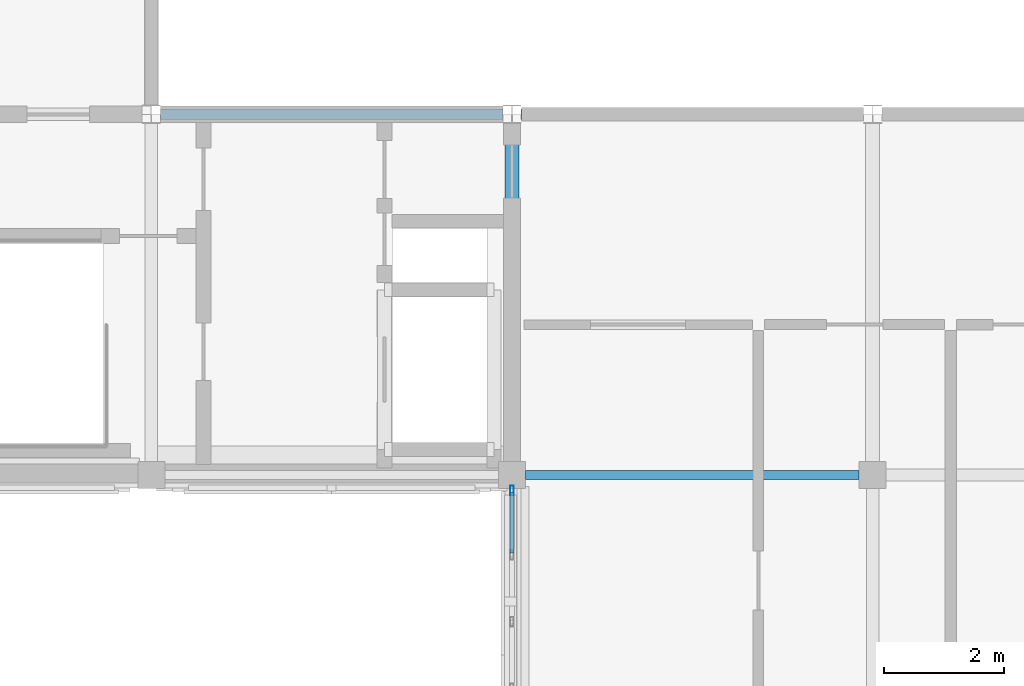
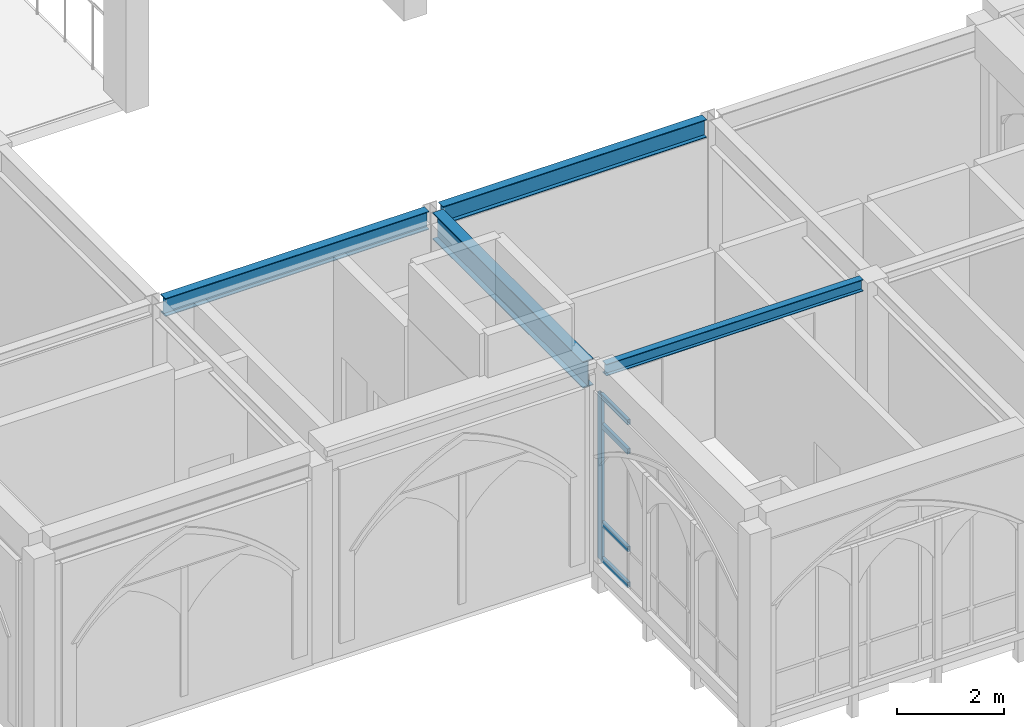
# One storey, part 16 of 59: 5 members, 4 beams, 1 element without a shape of its own.
"""IFC4 building model written with IfcOpenShell, lengths in metres."""

import ifcopenshell
import ifcopenshell.guid

model = None  # the IFC model being written
_history = None  # IfcOwnerHistory: only IFC2X3 demands one
_inside = {}  # id of a spatial element -> (the spatial element, [elements in it])
_under = {}  # id of a project, library or spatial element -> (it, [spatial elements below it])
_declared = {}  # id of a project -> (the project, [libraries it declares])
_typed = {}  # id of a type object -> (the type object, [elements of that type])
_made_of = {}  # id of a material, layer set ... -> (it, [elements and type objects made of it])


def new_model(schema):
    """Start an empty IFC model of exactly this schema.

    Asked for "IFC4X3", IfcOpenShell would pick the latest addendum, in which some entities
    have other attributes; the version numbers below select the first issue.
    IFC2X3 requires an IfcOwnerHistory on every rooted entity: one is made here for all.
    """
    global model, _history
    if schema == "IFC4X3":
        model = ifcopenshell.file(schema_version=(4, 3, 0, 0))
    else:
        model = ifcopenshell.file(schema=schema)
    _inside.clear()
    _under.clear()
    _declared.clear()
    _typed.clear()
    _made_of.clear()
    _history = None
    if model.schema == "IFC2X3":
        org = make("IfcOrganization", Name="unknown")
        user = make(
            "IfcPersonAndOrganization",
            ThePerson=make("IfcPerson", FamilyName="unknown"),
            TheOrganization=org,
        )
        app = make(
            "IfcApplication",
            ApplicationDeveloper=org,
            Version="unknown",
            ApplicationFullName="unknown",
            ApplicationIdentifier="unknown",
        )
        _history = make(
            "IfcOwnerHistory",
            OwningUser=user,
            OwningApplication=app,
            ChangeAction="ADDED",
            CreationDate=0,
        )
    return model


def make(cls, **values):
    """One entity of the class cls with the attributes given. An attribute that is None is left unset."""
    return model.create_entity(
        cls, **{name: value for name, value in values.items() if value is not None}
    )


def rooted(cls, **values):
    """An entity with a GlobalId (a new one), such as an element, a storey or a relation."""
    return make(cls, GlobalId=ifcopenshell.guid.new(), OwnerHistory=_history, **values)


def si_unit(unit_type, name, prefix=None):
    """IfcSIUnit, for example si_unit("LENGTHUNIT", "METRE", prefix="MILLI")."""
    return make("IfcSIUnit", UnitType=unit_type, Prefix=prefix, Name=name)


def assignment(units):
    """IfcUnitAssignment: the units of a project."""
    return None if units is None else make("IfcUnitAssignment", Units=units)


def point(xyz):
    """IfcCartesianPoint."""
    return None if xyz is None else make("IfcCartesianPoint", Coordinates=xyz)


def direction(xyz):
    """IfcDirection."""
    return None if xyz is None else make("IfcDirection", DirectionRatios=xyz)


def frame(location, z_axis=None, x_axis=None):
    """IfcAxis2Placement3D, a coordinate frame: its origin and axes. An axis left out is left unset."""
    return make(
        "IfcAxis2Placement3D",
        Location=point(location),
        Axis=direction(z_axis),
        RefDirection=direction(x_axis),
    )


def frame_2d(location, x_axis=None):
    """IfcAxis2Placement2D, a coordinate frame in the plane: its origin and x axis."""
    return make(
        "IfcAxis2Placement2D", Location=point(location), RefDirection=direction(x_axis)
    )


def origin():
    """The frame at (0, 0, 0) with its axes left unset."""
    return frame((0.0, 0.0, 0.0))


def origin_2d():
    """The frame at (0, 0) in the plane with its x axis left unset."""
    return frame_2d((0.0, 0.0))


def place(relative_to, where):
    """IfcLocalPlacement: puts the frame where relative to a parent placement (None: the world)."""
    return make(
        "IfcLocalPlacement", PlacementRelTo=relative_to, RelativePlacement=where
    )


def context(
    kind, dimensions, precision=None, world=None, true_north=None, identifier=None
):
    """IfcGeometricRepresentationContext, for example the 3D "Model" context."""
    return make(
        "IfcGeometricRepresentationContext",
        ContextIdentifier=identifier,
        ContextType=kind,
        CoordinateSpaceDimension=dimensions,
        Precision=precision,
        WorldCoordinateSystem=world,
        TrueNorth=true_north,
    )


def subcontext(parent, identifier, kind, view, scale=None):
    """IfcGeometricRepresentationSubContext, for example "Body" below "Model"."""
    return make(
        "IfcGeometricRepresentationSubContext",
        ContextIdentifier=identifier,
        ContextType=kind,
        ParentContext=parent,
        TargetScale=scale,
        TargetView=view,
    )


def project(units=None, contexts=None):
    """IfcProject with its units and contexts."""
    return rooted(
        "IfcProject",
        Name="project",
        RepresentationContexts=contexts,
        UnitsInContext=assignment(units),
    )


def spatial(cls, under=None, at=None, **own):
    """A site, building, storey or space (cls), placed at a placement, below another one or the project."""
    s = rooted(cls, ObjectPlacement=at, **own)
    if under is not None:
        _under.setdefault(under.id(), (under, []))[1].append(s)
    return s


def profile(cls, at=None, kind="AREA", **sizes):
    """A parametric profile (cls). Its sizes go by their IFC names, for example OverallWidth=200.0."""
    return make(cls, ProfileType=kind, Position=at, **sizes)


def hollow_rectangle(**sizes):
    """IfcRectangleHollowProfileDef."""
    return profile("IfcRectangleHollowProfileDef", **sizes)


def i_section(**sizes):
    """IfcIShapeProfileDef."""
    return profile("IfcIShapeProfileDef", **sizes)


def extrude(swept, where, along, depth):
    """IfcExtrudedAreaSolid: the profile swept, set in the frame where, extruded along a direction by depth."""
    return make(
        "IfcExtrudedAreaSolid",
        SweptArea=swept,
        Position=where,
        ExtrudedDirection=direction(along),
        Depth=depth,
    )


def shape(context_of_items, identifier, shape_type, items):
    """IfcShapeRepresentation: the items that make up one representation, for example the "Body"."""
    return make(
        "IfcShapeRepresentation",
        ContextOfItems=context_of_items,
        RepresentationIdentifier=identifier,
        RepresentationType=shape_type,
        Items=items,
    )


def material(Name=None, Category=None):
    """IfcMaterial."""
    return make("IfcMaterial", Name=Name, Category=Category)


def layer(
    of_material, thickness, ventilated=None, Name=None, Category=None, Priority=None
):
    """IfcMaterialLayer: one layer of a wall or slab, of a material (None: an air gap)."""
    return make(
        "IfcMaterialLayer",
        Material=of_material,
        LayerThickness=thickness,
        IsVentilated=ventilated,
        Name=Name,
        Category=Category,
        Priority=Priority,
    )


def layer_set(layers, Name=None):
    """IfcMaterialLayerSet."""
    return make("IfcMaterialLayerSet", MaterialLayers=layers, LayerSetName=Name)


def material_profile(
    of_material, cross_section, Name=None, Category=None, Priority=None
):
    """IfcMaterialProfile: a cross section and its material."""
    return make(
        "IfcMaterialProfile",
        Name=Name,
        Material=of_material,
        Profile=cross_section,
        Priority=Priority,
        Category=Category,
    )


def profile_set(profiles, Name=None, composite=None):
    """IfcMaterialProfileSet."""
    return make(
        "IfcMaterialProfileSet",
        Name=Name,
        MaterialProfiles=profiles,
        CompositeProfile=composite,
    )


def made_of(thing, what):
    """Note that an element or type object is made of a material, layer set ...; save() writes the relation."""
    if what is not None:
        _made_of.setdefault(what.id(), (what, []))[1].append(thing)
    return thing


def type_object(cls, material=None, **own):
    """A type object (cls), such as IfcWallType, which elements share."""
    return made_of(rooted(cls, **own), material)


def element(
    cls,
    number,
    at=None,
    inside=None,
    cuts=None,
    type_object=None,
    material=None,
    context=None,
    identifier="Body",
    shape_type=None,
    held_by="IfcProductDefinitionShape",
    body=None,
    shapes=None,
    **own,
):
    """One element of the class cls, such as IfcWall. Its Tag is "e" and its number.

    at: its placement. inside: the storey or other place that contains it. cuts: it is an
    opening in that element (IfcRelVoidsElement). A single representation is given by context,
    identifier, shape_type and body (its items); several are given by shapes. held_by: the class
    of the entity that holds the representations. save() writes the other relations.
    """
    e = rooted(cls, Tag="e%d" % number, ObjectPlacement=at, **own)
    if body is not None:
        shapes = [shape(context, identifier, shape_type, body)]
    if shapes is not None:
        e.Representation = make(held_by, Representations=shapes)
    if inside is not None:
        _inside.setdefault(inside.id(), (inside, []))[1].append(e)
    if cuts is not None:
        rooted(
            "IfcRelVoidsElement", RelatingBuildingElement=cuts, RelatedOpeningElement=e
        )
    if type_object is not None:
        _typed.setdefault(type_object.id(), (type_object, []))[1].append(e)
    return made_of(e, material)


def aggregate(whole, parts):
    """IfcRelAggregates: a whole, such as a stair, and the parts it consists of."""
    return rooted("IfcRelAggregates", RelatingObject=whole, RelatedObjects=parts)


def save(model, path):
    """Write the relations noted so far, then the file.

    IfcRelAggregates (storeys below a building ...), IfcRelContainedInSpatialStructure (elements
    in a storey), IfcRelDefinesByType, IfcRelAssociatesMaterial and IfcRelDeclares: one each for
    every whole, place, type object, material and project.
    """
    for whole, parts in _under.values():
        aggregate(whole, parts)
    for where, things in _inside.values():
        rooted(
            "IfcRelContainedInSpatialStructure",
            RelatedElements=things,
            RelatingStructure=where,
        )
    for kind, things in _typed.values():
        rooted("IfcRelDefinesByType", RelatedObjects=things, RelatingType=kind)
    for what, things in _made_of.values():
        rooted("IfcRelAssociatesMaterial", RelatedObjects=things, RelatingMaterial=what)
    for by, libraries in _declared.values():
        rooted("IfcRelDeclares", RelatingContext=by, RelatedDefinitions=libraries)
    model.write(path)


model = new_model("IFC4")

# Units and contexts
model_context = context("Model", 3, precision=1e-05, world=origin(), true_north=direction((0.0, 1.0)))
body_context = subcontext(model_context, "Body", "Model", "MODEL_VIEW")
ifc_project = project(units=[si_unit("LENGTHUNIT", "METRE"), si_unit("AREAUNIT", "SQUARE_METRE"), si_unit("VOLUMEUNIT", "CUBIC_METRE"), si_unit("PLANEANGLEUNIT", "RADIAN"), si_unit("MASSUNIT", "GRAM", prefix="KILO")], contexts=[model_context])

# Site, building, storey
site_placement = place(None, origin())
site = spatial("IfcSite", under=ifc_project, at=site_placement, CompositionType="ELEMENT")
building_placement = place(site_placement, origin())
building = spatial("IfcBuilding", under=site, at=building_placement, Name="Cumevento Cable Car Station", CompositionType="ELEMENT")
storey_placement = place(building_placement, frame((0.0, 0.0, 18.0)))
storey = spatial("IfcBuildingStorey", under=building, at=storey_placement, Name="L05", CompositionType="ELEMENT", Elevation=18.0)

# Curtain wall, members
ifc_material_1 = material(Name="Anodised Bronze Aluminium AW-6063-T6", Category="aluminium")
ifc_layer = layer(ifc_material_1, 0.172119140625)
ifc_layer_set = layer_set([ifc_layer], Name="Anodised Bronze Aluminium AW-6063-T6")
curtain_wall_type = type_object("IfcCurtainWallType", Name="Lancet Curtain Wall CW-03 1130", PredefinedType="NOTDEFINED", material=ifc_layer_set)
curtain_wall_placement = place(storey_placement, origin())
curtain_wall = element("IfcCurtainWall", 1, at=curtain_wall_placement, inside=storey, type_object=curtain_wall_type, Name="Lancet Curtain Wall CW-03 L05 #194", PredefinedType="NOTDEFINED")
ifc_material_2 = material(Name="Anodised Bronze Aluminium AW-6063-T6", Category="aluminium")
ifc_material_profile_1 = material_profile(ifc_material_2, hollow_rectangle(XDim=0.06494140625, YDim=0.159912109375, WallThickness=0.00390625, at=origin_2d()), Name="ALUM65x160x4")
ifc_profile_set_1 = profile_set([ifc_material_profile_1], Name="Anodised Bronze Aluminium AW-6063-T6")
member_type_1 = type_object("IfcMemberType", Name="Curtain Mullion CWM-01 ALUM65x160x4", PredefinedType="MULLION", material=ifc_profile_set_1)
member_1_placement = place(storey_placement, frame((70.0, 38.742431640625, 0.260009765625), z_axis=(0.0, 0.0, 1.0), x_axis=(-1.0, 0.0, 0.0)))
member_1 = element("IfcMember", 2, at=member_1_placement, type_object=member_type_1, Name="CW-03 mullion 6", PredefinedType="MULLION", context=body_context, shape_type="SweptSolid", body=[
    extrude(hollow_rectangle(XDim=0.06494140625, YDim=0.159912109375, WallThickness=0.00390625, at=origin_2d()), origin(), (0.0, 0.0, 1.0), 3.782958984375),
])
ifc_material_3 = material(Name="Anodised Bronze Aluminium AW-6063-T6", Category="aluminium")
ifc_material_profile_2 = material_profile(ifc_material_3, hollow_rectangle(XDim=0.06494140625, YDim=0.1201171875, WallThickness=0.00390625, at=origin_2d()), Name="ALUT65x120x4")
ifc_profile_set_2 = profile_set([ifc_material_profile_2], Name="Anodised Bronze Aluminium AW-6063-T6")
member_type_2 = type_object("IfcMemberType", Name="Curtain Transom CWT-01 ALUT65x120x4", PredefinedType="USERDEFINED", material=ifc_profile_set_2)
member_2_placement = place(storey_placement, frame((70.0, 37.697509765625, 0.29248046875), z_axis=(0.0, 1.0, 0.0), x_axis=(-1.0, 0.0, 0.0)))
member_2 = element("IfcMember", 3, at=member_2_placement, type_object=member_type_2, Name="CW-03 transom 5.1", ObjectType="TRANSOM", PredefinedType="USERDEFINED", context=body_context, shape_type="SweptSolid", body=[
    extrude(hollow_rectangle(XDim=0.06494140625, YDim=0.1201171875, WallThickness=0.00390625, at=origin_2d()), origin(), (0.0, 0.0, 1.0), 1.012451171875),
])
member_3_placement = place(storey_placement, frame((70.0, 37.697509765625, 1.110107421875), z_axis=(0.0, 1.0, 0.0), x_axis=(-1.0, 0.0, 0.0)))
member_3 = element("IfcMember", 4, at=member_3_placement, type_object=member_type_2, Name="CW-03 transom 5.2", ObjectType="TRANSOM", PredefinedType="USERDEFINED", context=body_context, shape_type="SweptSolid", body=[
    extrude(hollow_rectangle(XDim=0.06494140625, YDim=0.1201171875, WallThickness=0.00390625, at=origin_2d()), origin(), (0.0, 0.0, 1.0), 1.012451171875),
])
member_4_placement = place(storey_placement, frame((70.0, 37.697509765625, 3.343017578125), z_axis=(0.0, 1.0, 0.0), x_axis=(-1.0, 0.0, 0.0)))
member_4 = element("IfcMember", 5, at=member_4_placement, type_object=member_type_2, Name="CW-03 transom 5.3", ObjectType="TRANSOM", PredefinedType="USERDEFINED", context=body_context, shape_type="SweptSolid", body=[
    extrude(hollow_rectangle(XDim=0.06494140625, YDim=0.1201171875, WallThickness=0.00390625, at=origin_2d()), origin(), (0.0, 0.0, 1.0), 1.012451171875),
])
member_5_placement = place(storey_placement, frame((70.0, 37.697509765625, 4.010498046875), z_axis=(0.0, 1.0, 0.0), x_axis=(-1.0, 0.0, 0.0)))
member_5 = element("IfcMember", 6, at=member_5_placement, type_object=member_type_2, Name="CW-03 transom 5.4", ObjectType="TRANSOM", PredefinedType="USERDEFINED", context=body_context, shape_type="SweptSolid", body=[
    extrude(hollow_rectangle(XDim=0.06494140625, YDim=0.1201171875, WallThickness=0.00390625, at=origin_2d()), origin(), (0.0, 0.0, 1.0), 1.012451171875),
])
aggregate(curtain_wall, [member_1, member_2, member_3, member_4, member_5])

# Beams
ifc_material_4 = material(Name="Steel ASTM A572 Grade 50", Category="steel")
ifc_material_profile_3 = material_profile(ifc_material_4, i_section(OverallWidth=0.22802734375, OverallDepth=0.60791015625, WebThickness=0.01123046875, FlangeThickness=0.017333984375, at=origin_2d()), Name="W610x113.0")
ifc_profile_set_3 = profile_set([ifc_material_profile_3], Name="Steel ASTM A572 Grade 50")
beam_type_1 = type_object("IfcBeamType", Name="Structural Beam BM-02 W610x113.0", PredefinedType="BEAM", material=ifc_profile_set_3)
beam_1_placement = place(storey_placement, frame((70.0, 39.22509765625, 4.196044921875), z_axis=(0.0, 1.0, 0.0), x_axis=(-1.0, 0.0, 0.0)))
element("IfcBeam", 7, at=beam_1_placement, inside=storey, type_object=beam_type_1, Name="Beam BM-02 L05 #1561", PredefinedType="BEAM", context=body_context, shape_type="SweptSolid", body=[
    extrude(i_section(OverallWidth=0.22802734375, OverallDepth=0.60791015625, WebThickness=0.01123046875, FlangeThickness=0.017333984375, at=origin_2d()), origin(), (0.0, 0.0, 1.0), 5.620849609375),
])
ifc_material_5 = material(Name="Steel ASTM A572 Grade 50", Category="steel")
ifc_material_profile_4 = material_profile(ifc_material_5, i_section(OverallWidth=0.14794921875, OverallDepth=0.26611328125, WebThickness=0.007568359375, FlangeThickness=0.012939453125, at=origin_2d()), Name="W250x44.8")
ifc_profile_set_4 = profile_set([ifc_material_profile_4], Name="Steel ASTM A572 Grade 50")
beam_type_2 = type_object("IfcBeamType", Name="Structural Beam BM-07 W250x44.8", PredefinedType="BEAM", material=ifc_profile_set_4)
beam_2_placement = place(storey_placement, frame((70.22509765625, 39.0, 4.366943359375), z_axis=(1.0, 0.0, 0.0), x_axis=(0.0, 1.0, 0.0)))
element("IfcBeam", 8, at=beam_2_placement, inside=storey, type_object=beam_type_2, Name="Beam BM-07 L05 #1564", PredefinedType="BEAM", context=body_context, shape_type="SweptSolid", body=[
    extrude(i_section(OverallWidth=0.14794921875, OverallDepth=0.26611328125, WebThickness=0.007568359375, FlangeThickness=0.012939453125, at=origin_2d()), origin(), (0.0, 0.0, 1.0), 5.5498046875),
])
ifc_material_6 = material(Name="Steel ASTM A572 Grade 50", Category="steel")
ifc_material_profile_5 = material_profile(ifc_material_6, i_section(OverallWidth=0.179931640625, OverallDepth=0.4130859375, WebThickness=0.009765625, FlangeThickness=0.01611328125, at=origin_2d()), Name="W410x74.0")
ifc_profile_set_5 = profile_set([ifc_material_profile_5], Name="Steel ASTM A572 Grade 50")
beam_type_3 = type_object("IfcBeamType", Name="Structural Beam BM-09 W410x74.0", PredefinedType="BEAM", material=ifc_profile_set_5)
for number, where, z_axis, x_axis, name in (
    (9, (64.152587890625, 45.0, 4.29345703125), (1.0, 0.0, 0.0), (0.0, 1.0, 0.0), "Beam BM-09 L05 #1558"),
    (10, (70.152587890625, 45.0, 4.29345703125), (1.0, 0.0, 0.0), (0.0, 1.0, 0.0), "Beam BM-09 L05 #1566"),
):
    element("IfcBeam", number, at=place(storey_placement, frame(where, z_axis=z_axis, x_axis=x_axis)), inside=storey, type_object=beam_type_3, Name=name, PredefinedType="BEAM", context=body_context, shape_type="SweptSolid", body=[
        extrude(i_section(OverallWidth=0.179931640625, OverallDepth=0.4130859375, WebThickness=0.009765625, FlangeThickness=0.01611328125, at=origin_2d()), origin(), (0.0, 0.0, 1.0), 5.69482421875),
    ])

save(model, "model.ifc")
